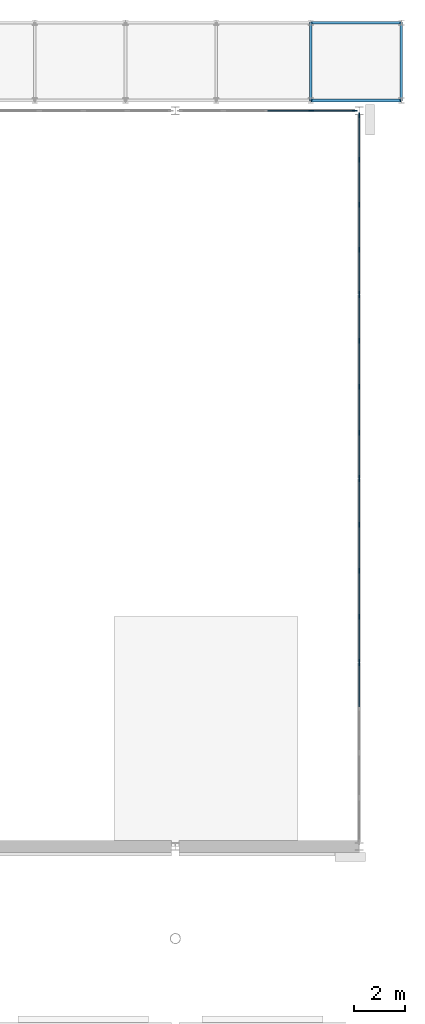
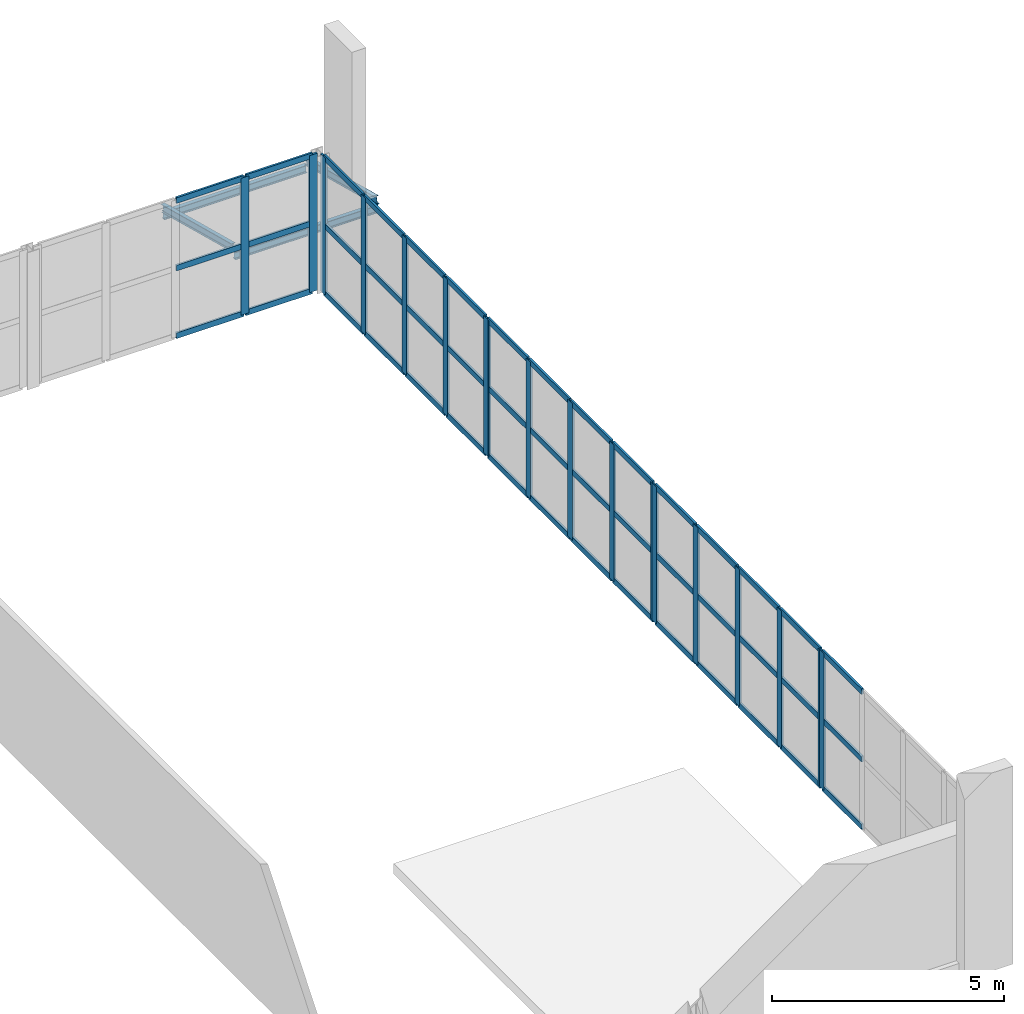
# One storey, part 53 of 124: 63 members, 4 beams, 5 elements without a shape of their own.
"""IFC4 building model written with IfcOpenShell, lengths in metres."""

from ifc_helpers import new_model, si_unit, direction, frame, origin, origin_2d, place, context, subcontext, project, spatial, rectangle, i_section, extrude, material, material_profile, profile_set, type_object, element, aggregate, save


model = new_model("IFC4")

# Units and contexts
model_context = context("Model", 3, precision=1e-05, world=origin(), true_north=direction((0.0, 1.0)))
body_context = subcontext(model_context, "Body", "Model", "MODEL_VIEW")
ifc_project = project(units=[si_unit("LENGTHUNIT", "METRE"), si_unit("AREAUNIT", "SQUARE_METRE"), si_unit("VOLUMEUNIT", "CUBIC_METRE"), si_unit("PLANEANGLEUNIT", "RADIAN"), si_unit("MASSUNIT", "GRAM", prefix="KILO")], contexts=[model_context])

# Site, building, storey
site_placement = place(None, origin())
site = spatial("IfcSite", under=ifc_project, at=site_placement, CompositionType="ELEMENT")
building_placement = place(site_placement, origin())
building = spatial("IfcBuilding", under=site, at=building_placement, Name="Kupolbacken Congress Centre", CompositionType="ELEMENT")
storey_placement = place(building_placement, frame((0.0, 0.0, 10.800048828125)))
storey = spatial("IfcBuildingStorey", under=building, at=storey_placement, Name="L03", CompositionType="ELEMENT", Elevation=10.800048828125)

# Beams
ifc_material_1 = material(Name="Steel S355", Category="steel")
ifc_material_profile_1 = material_profile(ifc_material_1, i_section(OverallWidth=0.10009765625, OverallDepth=0.199951171875, WebThickness=0.005615234375, FlangeThickness=0.008544921875, FilletRadius=0.011962890625, at=origin_2d()), Name="IPE 200")
ifc_profile_set_1 = profile_set([ifc_material_profile_1], Name="Steel S355")
beam_type = type_object("IfcBeamType", Name="B01 beam IPE 200", PredefinedType="BEAM", material=ifc_profile_set_1)
for number, where, z_axis, x_axis, name in (
    (1, (199.699951171875, 151.60009765625, 1.300048828125), (1.0, 0.0, 0.0), (0.0, 1.0, 0.0), "Covered passage eaves beam"),
    (2, (199.699951171875, 154.64990234375, 0.5), (1.0, 0.0, 0.0), (0.0, 1.0, 0.0), "Covered passage eaves beam"),
):
    element("IfcBeam", number, at=place(storey_placement, frame(where, z_axis=z_axis, x_axis=x_axis)), inside=storey, type_object=beam_type, Name=name, PredefinedType="BEAM", context=body_context, shape_type="SweptSolid", body=[
        extrude(i_section(OverallWidth=0.10009765625, OverallDepth=0.199951171875, WebThickness=0.005615234375, FlangeThickness=0.008544921875, FilletRadius=0.011962890625, at=origin_2d()), origin(), (0.0, 0.0, 1.0), 3.550048828125),
    ])
for number, where, z_axis, x_axis, name in (
    (3, (199.699951171875, 151.60009765625, 1.5), (0.0, 0.967271836025, -0.253742379655), (-1.0, 0.0, 0.0), "Covered passage rafter"),
    (4, (203.25, 151.60009765625, 1.5), (0.0, 0.967271836025, -0.253742379655), (-1.0, 0.0, 0.0), "Covered passage rafter"),
):
    element("IfcBeam", number, at=place(storey_placement, frame(where, z_axis=z_axis, x_axis=x_axis)), inside=storey, type_object=beam_type, Name=name, PredefinedType="BEAM", context=body_context, shape_type="SweptSolid", body=[
        extrude(i_section(OverallWidth=0.10009765625, OverallDepth=0.199951171875, WebThickness=0.005615234375, FlangeThickness=0.008544921875, FilletRadius=0.011962890625, at=origin_2d()), origin(), (0.0, 0.0, 1.0), 3.153076171875),
    ])

# Curtain wall, member
ifc_material_2 = material(Name="Aluminium mullion-transom frame with glass", Category="aluminium")
curtain_wall_type = type_object("IfcCurtainWallType", Name="CW1 curtain wall 7200x3600", PredefinedType="NOTDEFINED", material=ifc_material_2)
curtain_wall_1_placement = place(storey_placement, origin())
curtain_wall_1 = element("IfcCurtainWall", 5, at=curtain_wall_1_placement, inside=storey, type_object=curtain_wall_type, Name="E/B/E/L03/297", PredefinedType="NOTDEFINED")
ifc_material_3 = material(Name="Aluminium alloy", Category="aluminium")
ifc_material_profile_2 = material_profile(ifc_material_3, rectangle(XDim=0.050048828125, YDim=0.199951171875, at=origin_2d()), Name="50 x 200")
ifc_profile_set_2 = profile_set([ifc_material_profile_2], Name="Aluminium alloy")
member_type_1 = type_object("IfcMemberType", Name="MU2 mullion 50x200", PredefinedType="MULLION", material=ifc_profile_set_2)
member_1_placement = place(storey_placement, frame((201.60009765625, 129.574951171875, 0.0), z_axis=(0.0, 0.0, 1.0), x_axis=(-1.0, 0.0, 0.0)))
member_1 = element("IfcMember", 6, at=member_1_placement, type_object=member_type_1, Name="CW1 mullion 5", PredefinedType="MULLION", context=body_context, shape_type="SweptSolid", body=[
    extrude(rectangle(XDim=0.050048828125, YDim=0.199951171875, at=origin_2d()), origin(), (0.0, 0.0, 1.0), 3.599853515625),
])

# Curtain wall, members
curtain_wall_2_placement = place(storey_placement, origin())
curtain_wall_2 = element("IfcCurtainWall", 7, at=curtain_wall_2_placement, inside=storey, type_object=curtain_wall_type, Name="E/B/E/L03/298", PredefinedType="NOTDEFINED")
member_2_placement = place(storey_placement, frame((201.60009765625, 129.625, 0.0), z_axis=(0.0, 0.0, 1.0), x_axis=(-1.0, 0.0, 0.0)))
member_2 = element("IfcMember", 8, at=member_2_placement, type_object=member_type_1, Name="CW1 mullion 1", PredefinedType="MULLION", context=body_context, shape_type="SweptSolid", body=[
    extrude(rectangle(XDim=0.050048828125, YDim=0.199951171875, at=origin_2d()), origin(), (0.0, 0.0, 1.0), 3.599853515625),
])
member_3_placement = place(storey_placement, frame((201.60009765625, 131.39990234375, 0.0), z_axis=(0.0, 0.0, 1.0), x_axis=(-1.0, 0.0, 0.0)))
member_3 = element("IfcMember", 9, at=member_3_placement, type_object=member_type_1, Name="CW1 mullion 2", PredefinedType="MULLION", context=body_context, shape_type="SweptSolid", body=[
    extrude(rectangle(XDim=0.050048828125, YDim=0.199951171875, at=origin_2d()), origin(), (0.0, 0.0, 1.0), 3.599853515625),
])
member_4_placement = place(storey_placement, frame((201.60009765625, 133.199951171875, 0.0), z_axis=(0.0, 0.0, 1.0), x_axis=(-1.0, 0.0, 0.0)))
member_4 = element("IfcMember", 10, at=member_4_placement, type_object=member_type_1, Name="CW1 mullion 3", PredefinedType="MULLION", context=body_context, shape_type="SweptSolid", body=[
    extrude(rectangle(XDim=0.050048828125, YDim=0.199951171875, at=origin_2d()), origin(), (0.0, 0.0, 1.0), 3.599853515625),
])
member_5_placement = place(storey_placement, frame((201.60009765625, 135.0, 0.0), z_axis=(0.0, 0.0, 1.0), x_axis=(-1.0, 0.0, 0.0)))
member_5 = element("IfcMember", 11, at=member_5_placement, type_object=member_type_1, Name="CW1 mullion 4", PredefinedType="MULLION", context=body_context, shape_type="SweptSolid", body=[
    extrude(rectangle(XDim=0.050048828125, YDim=0.199951171875, at=origin_2d()), origin(), (0.0, 0.0, 1.0), 3.599853515625),
])
member_6_placement = place(storey_placement, frame((201.60009765625, 136.77490234375, 0.0), z_axis=(0.0, 0.0, 1.0), x_axis=(-1.0, 0.0, 0.0)))
member_6 = element("IfcMember", 12, at=member_6_placement, type_object=member_type_1, Name="CW1 mullion 5", PredefinedType="MULLION", context=body_context, shape_type="SweptSolid", body=[
    extrude(rectangle(XDim=0.050048828125, YDim=0.199951171875, at=origin_2d()), origin(), (0.0, 0.0, 1.0), 3.599853515625),
])

curtain_wall_3_placement = place(storey_placement, origin())
curtain_wall_3 = element("IfcCurtainWall", 13, at=curtain_wall_3_placement, inside=storey, type_object=curtain_wall_type, Name="E/B/E/L03/299", PredefinedType="NOTDEFINED")
member_7_placement = place(storey_placement, frame((201.60009765625, 136.824951171875, 0.0), z_axis=(0.0, 0.0, 1.0), x_axis=(-1.0, 0.0, 0.0)))
member_7 = element("IfcMember", 14, at=member_7_placement, type_object=member_type_1, Name="CW1 mullion 1", PredefinedType="MULLION", context=body_context, shape_type="SweptSolid", body=[
    extrude(rectangle(XDim=0.050048828125, YDim=0.199951171875, at=origin_2d()), origin(), (0.0, 0.0, 1.0), 3.599853515625),
])
member_8_placement = place(storey_placement, frame((201.60009765625, 138.60009765625, 0.0), z_axis=(0.0, 0.0, 1.0), x_axis=(-1.0, 0.0, 0.0)))
member_8 = element("IfcMember", 15, at=member_8_placement, type_object=member_type_1, Name="CW1 mullion 2", PredefinedType="MULLION", context=body_context, shape_type="SweptSolid", body=[
    extrude(rectangle(XDim=0.050048828125, YDim=0.199951171875, at=origin_2d()), origin(), (0.0, 0.0, 1.0), 3.599853515625),
])
member_9_placement = place(storey_placement, frame((201.60009765625, 140.39990234375, 0.0), z_axis=(0.0, 0.0, 1.0), x_axis=(-1.0, 0.0, 0.0)))
member_9 = element("IfcMember", 16, at=member_9_placement, type_object=member_type_1, Name="CW1 mullion 3", PredefinedType="MULLION", context=body_context, shape_type="SweptSolid", body=[
    extrude(rectangle(XDim=0.050048828125, YDim=0.199951171875, at=origin_2d()), origin(), (0.0, 0.0, 1.0), 3.599853515625),
])
member_10_placement = place(storey_placement, frame((201.60009765625, 142.199951171875, 0.0), z_axis=(0.0, 0.0, 1.0), x_axis=(-1.0, 0.0, 0.0)))
member_10 = element("IfcMember", 17, at=member_10_placement, type_object=member_type_1, Name="CW1 mullion 4", PredefinedType="MULLION", context=body_context, shape_type="SweptSolid", body=[
    extrude(rectangle(XDim=0.050048828125, YDim=0.199951171875, at=origin_2d()), origin(), (0.0, 0.0, 1.0), 3.599853515625),
])
member_11_placement = place(storey_placement, frame((201.60009765625, 143.97509765625, 0.0), z_axis=(0.0, 0.0, 1.0), x_axis=(-1.0, 0.0, 0.0)))
member_11 = element("IfcMember", 18, at=member_11_placement, type_object=member_type_1, Name="CW1 mullion 5", PredefinedType="MULLION", context=body_context, shape_type="SweptSolid", body=[
    extrude(rectangle(XDim=0.050048828125, YDim=0.199951171875, at=origin_2d()), origin(), (0.0, 0.0, 1.0), 3.599853515625),
])

curtain_wall_4_placement = place(storey_placement, origin())
curtain_wall_4 = element("IfcCurtainWall", 19, at=curtain_wall_4_placement, inside=storey, type_object=curtain_wall_type, Name="E/B/E/L03/300", PredefinedType="NOTDEFINED")
member_12_placement = place(storey_placement, frame((201.60009765625, 144.02490234375, 0.0), z_axis=(0.0, 0.0, 1.0), x_axis=(-1.0, 0.0, 0.0)))
member_12 = element("IfcMember", 20, at=member_12_placement, type_object=member_type_1, Name="CW1 mullion 1", PredefinedType="MULLION", context=body_context, shape_type="SweptSolid", body=[
    extrude(rectangle(XDim=0.050048828125, YDim=0.199951171875, at=origin_2d()), origin(), (0.0, 0.0, 1.0), 3.599853515625),
])
member_13_placement = place(storey_placement, frame((201.60009765625, 145.762451171875, 0.0), z_axis=(0.0, 0.0, 1.0), x_axis=(-1.0, 0.0, 0.0)))
member_13 = element("IfcMember", 21, at=member_13_placement, type_object=member_type_1, Name="CW1 mullion 2", PredefinedType="MULLION", context=body_context, shape_type="SweptSolid", body=[
    extrude(rectangle(XDim=0.050048828125, YDim=0.199951171875, at=origin_2d()), origin(), (0.0, 0.0, 1.0), 3.599853515625),
])
member_14_placement = place(storey_placement, frame((201.60009765625, 147.52490234375, 0.0), z_axis=(0.0, 0.0, 1.0), x_axis=(-1.0, 0.0, 0.0)))
member_14 = element("IfcMember", 22, at=member_14_placement, type_object=member_type_1, Name="CW1 mullion 3", PredefinedType="MULLION", context=body_context, shape_type="SweptSolid", body=[
    extrude(rectangle(XDim=0.050048828125, YDim=0.199951171875, at=origin_2d()), origin(), (0.0, 0.0, 1.0), 3.599853515625),
])
member_15_placement = place(storey_placement, frame((201.60009765625, 149.28759765625, 0.0), z_axis=(0.0, 0.0, 1.0), x_axis=(-1.0, 0.0, 0.0)))
member_15 = element("IfcMember", 23, at=member_15_placement, type_object=member_type_1, Name="CW1 mullion 4", PredefinedType="MULLION", context=body_context, shape_type="SweptSolid", body=[
    extrude(rectangle(XDim=0.050048828125, YDim=0.199951171875, at=origin_2d()), origin(), (0.0, 0.0, 1.0), 3.599853515625),
])
member_16_placement = place(storey_placement, frame((201.60009765625, 151.02490234375, 0.0), z_axis=(0.0, 0.0, 1.0), x_axis=(-1.0, 0.0, 0.0)))
member_16 = element("IfcMember", 24, at=member_16_placement, type_object=member_type_1, Name="CW1 mullion 5", PredefinedType="MULLION", context=body_context, shape_type="SweptSolid", body=[
    extrude(rectangle(XDim=0.050048828125, YDim=0.199951171875, at=origin_2d()), origin(), (0.0, 0.0, 1.0), 3.599853515625),
])

curtain_wall_5_placement = place(storey_placement, origin())
curtain_wall_5 = element("IfcCurtainWall", 25, at=curtain_wall_5_placement, inside=storey, type_object=curtain_wall_type, Name="E/B/N/L03/301", PredefinedType="NOTDEFINED")
member_17_placement = place(storey_placement, frame((201.425048828125, 151.199951171875, 0.0), z_axis=(0.0, 0.0, 1.0), x_axis=(0.0, -1.0, 0.0)))
member_17 = element("IfcMember", 26, at=member_17_placement, type_object=member_type_1, Name="CW1 mullion 1", PredefinedType="MULLION", context=body_context, shape_type="SweptSolid", body=[
    extrude(rectangle(XDim=0.050048828125, YDim=0.199951171875, at=origin_2d()), origin(), (0.0, 0.0, 1.0), 3.599853515625),
])
member_18_placement = place(storey_placement, frame((199.72509765625, 151.199951171875, 0.0), z_axis=(0.0, 0.0, 1.0), x_axis=(0.0, -1.0, 0.0)))
member_18 = element("IfcMember", 27, at=member_18_placement, type_object=member_type_1, Name="CW1 mullion 2", PredefinedType="MULLION", context=body_context, shape_type="SweptSolid", body=[
    extrude(rectangle(XDim=0.050048828125, YDim=0.199951171875, at=origin_2d()), origin(), (0.0, 0.0, 1.0), 3.599853515625),
])

# Member
ifc_material_4 = material(Name="Aluminium alloy", Category="aluminium")
ifc_material_profile_3 = material_profile(ifc_material_4, rectangle(XDim=0.050048828125, YDim=0.14990234375, at=origin_2d()), Name="50 x 150")
ifc_profile_set_3 = profile_set([ifc_material_profile_3], Name="Aluminium alloy")
member_type_2 = type_object("IfcMemberType", Name="TR2 transom 50x150", PredefinedType="MULLION", material=ifc_profile_set_3)
member_19_placement = place(storey_placement, frame((201.60009765625, 127.862548828125, 0.02490234375), z_axis=(0.0, 1.0, 0.0), x_axis=(-1.0, 0.0, 0.0)))
member_19 = element("IfcMember", 28, at=member_19_placement, type_object=member_type_2, Name="CW1 transom 4.1", PredefinedType="MULLION", context=body_context, shape_type="SweptSolid", body=[
    extrude(rectangle(XDim=0.050048828125, YDim=0.14990234375, at=origin_2d()), origin(), (0.0, 0.0, 1.0), 1.6875),
])

member_20_placement = place(storey_placement, frame((201.60009765625, 127.862548828125, 1.800048828125), z_axis=(0.0, 1.0, 0.0), x_axis=(-1.0, 0.0, 0.0)))
member_20 = element("IfcMember", 29, at=member_20_placement, type_object=member_type_2, Name="CW1 transom 4.2", PredefinedType="MULLION", context=body_context, shape_type="SweptSolid", body=[
    extrude(rectangle(XDim=0.050048828125, YDim=0.14990234375, at=origin_2d()), origin(), (0.0, 0.0, 1.0), 1.6875),
])

member_21_placement = place(storey_placement, frame((201.60009765625, 127.862548828125, 3.574951171875), z_axis=(0.0, 1.0, 0.0), x_axis=(-1.0, 0.0, 0.0)))
member_21 = element("IfcMember", 30, at=member_21_placement, type_object=member_type_2, Name="CW1 transom 4.3", PredefinedType="MULLION", context=body_context, shape_type="SweptSolid", body=[
    extrude(rectangle(XDim=0.050048828125, YDim=0.14990234375, at=origin_2d()), origin(), (0.0, 0.0, 1.0), 1.6875),
])

aggregate(curtain_wall_1, [member_1, member_19, member_20, member_21])

member_22_placement = place(storey_placement, frame((201.60009765625, 129.64990234375, 0.02490234375), z_axis=(0.0, 1.0, 0.0), x_axis=(-1.0, 0.0, 0.0)))
member_22 = element("IfcMember", 31, at=member_22_placement, type_object=member_type_2, Name="CW1 transom 1.1", PredefinedType="MULLION", context=body_context, shape_type="SweptSolid", body=[
    extrude(rectangle(XDim=0.050048828125, YDim=0.14990234375, at=origin_2d()), origin(), (0.0, 0.0, 1.0), 1.72509765625),
])

member_23_placement = place(storey_placement, frame((201.60009765625, 129.64990234375, 1.800048828125), z_axis=(0.0, 1.0, 0.0), x_axis=(-1.0, 0.0, 0.0)))
member_23 = element("IfcMember", 32, at=member_23_placement, type_object=member_type_2, Name="CW1 transom 1.2", PredefinedType="MULLION", context=body_context, shape_type="SweptSolid", body=[
    extrude(rectangle(XDim=0.050048828125, YDim=0.14990234375, at=origin_2d()), origin(), (0.0, 0.0, 1.0), 1.72509765625),
])

member_24_placement = place(storey_placement, frame((201.60009765625, 129.64990234375, 3.574951171875), z_axis=(0.0, 1.0, 0.0), x_axis=(-1.0, 0.0, 0.0)))
member_24 = element("IfcMember", 33, at=member_24_placement, type_object=member_type_2, Name="CW1 transom 1.3", PredefinedType="MULLION", context=body_context, shape_type="SweptSolid", body=[
    extrude(rectangle(XDim=0.050048828125, YDim=0.14990234375, at=origin_2d()), origin(), (0.0, 0.0, 1.0), 1.72509765625),
])

member_25_placement = place(storey_placement, frame((201.60009765625, 131.425048828125, 0.02490234375), z_axis=(0.0, 1.0, 0.0), x_axis=(-1.0, 0.0, 0.0)))
member_25 = element("IfcMember", 34, at=member_25_placement, type_object=member_type_2, Name="CW1 transom 2.1", PredefinedType="MULLION", context=body_context, shape_type="SweptSolid", body=[
    extrude(rectangle(XDim=0.050048828125, YDim=0.14990234375, at=origin_2d()), origin(), (0.0, 0.0, 1.0), 1.75),
])

member_26_placement = place(storey_placement, frame((201.60009765625, 131.425048828125, 1.800048828125), z_axis=(0.0, 1.0, 0.0), x_axis=(-1.0, 0.0, 0.0)))
member_26 = element("IfcMember", 35, at=member_26_placement, type_object=member_type_2, Name="CW1 transom 2.2", PredefinedType="MULLION", context=body_context, shape_type="SweptSolid", body=[
    extrude(rectangle(XDim=0.050048828125, YDim=0.14990234375, at=origin_2d()), origin(), (0.0, 0.0, 1.0), 1.75),
])

member_27_placement = place(storey_placement, frame((201.60009765625, 131.425048828125, 3.574951171875), z_axis=(0.0, 1.0, 0.0), x_axis=(-1.0, 0.0, 0.0)))
member_27 = element("IfcMember", 36, at=member_27_placement, type_object=member_type_2, Name="CW1 transom 2.3", PredefinedType="MULLION", context=body_context, shape_type="SweptSolid", body=[
    extrude(rectangle(XDim=0.050048828125, YDim=0.14990234375, at=origin_2d()), origin(), (0.0, 0.0, 1.0), 1.75),
])

member_28_placement = place(storey_placement, frame((201.60009765625, 133.22509765625, 0.02490234375), z_axis=(0.0, 1.0, 0.0), x_axis=(-1.0, 0.0, 0.0)))
member_28 = element("IfcMember", 37, at=member_28_placement, type_object=member_type_2, Name="CW1 transom 3.1", PredefinedType="MULLION", context=body_context, shape_type="SweptSolid", body=[
    extrude(rectangle(XDim=0.050048828125, YDim=0.14990234375, at=origin_2d()), origin(), (0.0, 0.0, 1.0), 1.75),
])

member_29_placement = place(storey_placement, frame((201.60009765625, 133.22509765625, 1.800048828125), z_axis=(0.0, 1.0, 0.0), x_axis=(-1.0, 0.0, 0.0)))
member_29 = element("IfcMember", 38, at=member_29_placement, type_object=member_type_2, Name="CW1 transom 3.2", PredefinedType="MULLION", context=body_context, shape_type="SweptSolid", body=[
    extrude(rectangle(XDim=0.050048828125, YDim=0.14990234375, at=origin_2d()), origin(), (0.0, 0.0, 1.0), 1.75),
])

member_30_placement = place(storey_placement, frame((201.60009765625, 133.22509765625, 3.574951171875), z_axis=(0.0, 1.0, 0.0), x_axis=(-1.0, 0.0, 0.0)))
member_30 = element("IfcMember", 39, at=member_30_placement, type_object=member_type_2, Name="CW1 transom 3.3", PredefinedType="MULLION", context=body_context, shape_type="SweptSolid", body=[
    extrude(rectangle(XDim=0.050048828125, YDim=0.14990234375, at=origin_2d()), origin(), (0.0, 0.0, 1.0), 1.75),
])

member_31_placement = place(storey_placement, frame((201.60009765625, 135.02490234375, 0.02490234375), z_axis=(0.0, 1.0, 0.0), x_axis=(-1.0, 0.0, 0.0)))
member_31 = element("IfcMember", 40, at=member_31_placement, type_object=member_type_2, Name="CW1 transom 4.1", PredefinedType="MULLION", context=body_context, shape_type="SweptSolid", body=[
    extrude(rectangle(XDim=0.050048828125, YDim=0.14990234375, at=origin_2d()), origin(), (0.0, 0.0, 1.0), 1.72509765625),
])

member_32_placement = place(storey_placement, frame((201.60009765625, 135.02490234375, 1.800048828125), z_axis=(0.0, 1.0, 0.0), x_axis=(-1.0, 0.0, 0.0)))
member_32 = element("IfcMember", 41, at=member_32_placement, type_object=member_type_2, Name="CW1 transom 4.2", PredefinedType="MULLION", context=body_context, shape_type="SweptSolid", body=[
    extrude(rectangle(XDim=0.050048828125, YDim=0.14990234375, at=origin_2d()), origin(), (0.0, 0.0, 1.0), 1.72509765625),
])

member_33_placement = place(storey_placement, frame((201.60009765625, 135.02490234375, 3.574951171875), z_axis=(0.0, 1.0, 0.0), x_axis=(-1.0, 0.0, 0.0)))
member_33 = element("IfcMember", 42, at=member_33_placement, type_object=member_type_2, Name="CW1 transom 4.3", PredefinedType="MULLION", context=body_context, shape_type="SweptSolid", body=[
    extrude(rectangle(XDim=0.050048828125, YDim=0.14990234375, at=origin_2d()), origin(), (0.0, 0.0, 1.0), 1.72509765625),
])

aggregate(curtain_wall_2, [member_2, member_3, member_4, member_5, member_6, member_22, member_23, member_24, member_25, member_26, member_27, member_28, member_29, member_30, member_31, member_32, member_33])

member_34_placement = place(storey_placement, frame((201.60009765625, 136.85009765625, 0.02490234375), z_axis=(0.0, 1.0, 0.0), x_axis=(-1.0, 0.0, 0.0)))
member_34 = element("IfcMember", 43, at=member_34_placement, type_object=member_type_2, Name="CW1 transom 1.1", PredefinedType="MULLION", context=body_context, shape_type="SweptSolid", body=[
    extrude(rectangle(XDim=0.050048828125, YDim=0.14990234375, at=origin_2d()), origin(), (0.0, 0.0, 1.0), 1.724853515625),
])

member_35_placement = place(storey_placement, frame((201.60009765625, 136.85009765625, 1.800048828125), z_axis=(0.0, 1.0, 0.0), x_axis=(-1.0, 0.0, 0.0)))
member_35 = element("IfcMember", 44, at=member_35_placement, type_object=member_type_2, Name="CW1 transom 1.2", PredefinedType="MULLION", context=body_context, shape_type="SweptSolid", body=[
    extrude(rectangle(XDim=0.050048828125, YDim=0.14990234375, at=origin_2d()), origin(), (0.0, 0.0, 1.0), 1.724853515625),
])

member_36_placement = place(storey_placement, frame((201.60009765625, 136.85009765625, 3.574951171875), z_axis=(0.0, 1.0, 0.0), x_axis=(-1.0, 0.0, 0.0)))
member_36 = element("IfcMember", 45, at=member_36_placement, type_object=member_type_2, Name="CW1 transom 1.3", PredefinedType="MULLION", context=body_context, shape_type="SweptSolid", body=[
    extrude(rectangle(XDim=0.050048828125, YDim=0.14990234375, at=origin_2d()), origin(), (0.0, 0.0, 1.0), 1.724853515625),
])

member_37_placement = place(storey_placement, frame((201.60009765625, 138.625, 0.02490234375), z_axis=(0.0, 1.0, 0.0), x_axis=(-1.0, 0.0, 0.0)))
member_37 = element("IfcMember", 46, at=member_37_placement, type_object=member_type_2, Name="CW1 transom 2.1", PredefinedType="MULLION", context=body_context, shape_type="SweptSolid", body=[
    extrude(rectangle(XDim=0.050048828125, YDim=0.14990234375, at=origin_2d()), origin(), (0.0, 0.0, 1.0), 1.75),
])

member_38_placement = place(storey_placement, frame((201.60009765625, 138.625, 1.800048828125), z_axis=(0.0, 1.0, 0.0), x_axis=(-1.0, 0.0, 0.0)))
member_38 = element("IfcMember", 47, at=member_38_placement, type_object=member_type_2, Name="CW1 transom 2.2", PredefinedType="MULLION", context=body_context, shape_type="SweptSolid", body=[
    extrude(rectangle(XDim=0.050048828125, YDim=0.14990234375, at=origin_2d()), origin(), (0.0, 0.0, 1.0), 1.75),
])

member_39_placement = place(storey_placement, frame((201.60009765625, 138.625, 3.574951171875), z_axis=(0.0, 1.0, 0.0), x_axis=(-1.0, 0.0, 0.0)))
member_39 = element("IfcMember", 48, at=member_39_placement, type_object=member_type_2, Name="CW1 transom 2.3", PredefinedType="MULLION", context=body_context, shape_type="SweptSolid", body=[
    extrude(rectangle(XDim=0.050048828125, YDim=0.14990234375, at=origin_2d()), origin(), (0.0, 0.0, 1.0), 1.75),
])

member_40_placement = place(storey_placement, frame((201.60009765625, 140.425048828125, 0.02490234375), z_axis=(0.0, 1.0, 0.0), x_axis=(-1.0, 0.0, 0.0)))
member_40 = element("IfcMember", 49, at=member_40_placement, type_object=member_type_2, Name="CW1 transom 3.1", PredefinedType="MULLION", context=body_context, shape_type="SweptSolid", body=[
    extrude(rectangle(XDim=0.050048828125, YDim=0.14990234375, at=origin_2d()), origin(), (0.0, 0.0, 1.0), 1.75),
])

member_41_placement = place(storey_placement, frame((201.60009765625, 140.425048828125, 1.800048828125), z_axis=(0.0, 1.0, 0.0), x_axis=(-1.0, 0.0, 0.0)))
member_41 = element("IfcMember", 50, at=member_41_placement, type_object=member_type_2, Name="CW1 transom 3.2", PredefinedType="MULLION", context=body_context, shape_type="SweptSolid", body=[
    extrude(rectangle(XDim=0.050048828125, YDim=0.14990234375, at=origin_2d()), origin(), (0.0, 0.0, 1.0), 1.75),
])

member_42_placement = place(storey_placement, frame((201.60009765625, 140.425048828125, 3.574951171875), z_axis=(0.0, 1.0, 0.0), x_axis=(-1.0, 0.0, 0.0)))
member_42 = element("IfcMember", 51, at=member_42_placement, type_object=member_type_2, Name="CW1 transom 3.3", PredefinedType="MULLION", context=body_context, shape_type="SweptSolid", body=[
    extrude(rectangle(XDim=0.050048828125, YDim=0.14990234375, at=origin_2d()), origin(), (0.0, 0.0, 1.0), 1.75),
])

member_43_placement = place(storey_placement, frame((201.60009765625, 142.22509765625, 0.02490234375), z_axis=(0.0, 1.0, 0.0), x_axis=(-1.0, 0.0, 0.0)))
member_43 = element("IfcMember", 52, at=member_43_placement, type_object=member_type_2, Name="CW1 transom 4.1", PredefinedType="MULLION", context=body_context, shape_type="SweptSolid", body=[
    extrude(rectangle(XDim=0.050048828125, YDim=0.14990234375, at=origin_2d()), origin(), (0.0, 0.0, 1.0), 1.724853515625),
])

member_44_placement = place(storey_placement, frame((201.60009765625, 142.22509765625, 1.800048828125), z_axis=(0.0, 1.0, 0.0), x_axis=(-1.0, 0.0, 0.0)))
member_44 = element("IfcMember", 53, at=member_44_placement, type_object=member_type_2, Name="CW1 transom 4.2", PredefinedType="MULLION", context=body_context, shape_type="SweptSolid", body=[
    extrude(rectangle(XDim=0.050048828125, YDim=0.14990234375, at=origin_2d()), origin(), (0.0, 0.0, 1.0), 1.724853515625),
])

member_45_placement = place(storey_placement, frame((201.60009765625, 142.22509765625, 3.574951171875), z_axis=(0.0, 1.0, 0.0), x_axis=(-1.0, 0.0, 0.0)))
member_45 = element("IfcMember", 54, at=member_45_placement, type_object=member_type_2, Name="CW1 transom 4.3", PredefinedType="MULLION", context=body_context, shape_type="SweptSolid", body=[
    extrude(rectangle(XDim=0.050048828125, YDim=0.14990234375, at=origin_2d()), origin(), (0.0, 0.0, 1.0), 1.724853515625),
])

aggregate(curtain_wall_3, [member_7, member_8, member_9, member_10, member_11, member_34, member_35, member_36, member_37, member_38, member_39, member_40, member_41, member_42, member_43, member_44, member_45])

member_46_placement = place(storey_placement, frame((201.60009765625, 144.050048828125, 0.02490234375), z_axis=(0.0, 1.0, 0.0), x_axis=(-1.0, 0.0, 0.0)))
member_46 = element("IfcMember", 55, at=member_46_placement, type_object=member_type_2, Name="CW1 transom 1.1", PredefinedType="MULLION", context=body_context, shape_type="SweptSolid", body=[
    extrude(rectangle(XDim=0.050048828125, YDim=0.14990234375, at=origin_2d()), origin(), (0.0, 0.0, 1.0), 1.6875),
])

member_47_placement = place(storey_placement, frame((201.60009765625, 144.050048828125, 1.800048828125), z_axis=(0.0, 1.0, 0.0), x_axis=(-1.0, 0.0, 0.0)))
member_47 = element("IfcMember", 56, at=member_47_placement, type_object=member_type_2, Name="CW1 transom 1.2", PredefinedType="MULLION", context=body_context, shape_type="SweptSolid", body=[
    extrude(rectangle(XDim=0.050048828125, YDim=0.14990234375, at=origin_2d()), origin(), (0.0, 0.0, 1.0), 1.6875),
])

member_48_placement = place(storey_placement, frame((201.60009765625, 144.050048828125, 3.574951171875), z_axis=(0.0, 1.0, 0.0), x_axis=(-1.0, 0.0, 0.0)))
member_48 = element("IfcMember", 57, at=member_48_placement, type_object=member_type_2, Name="CW1 transom 1.3", PredefinedType="MULLION", context=body_context, shape_type="SweptSolid", body=[
    extrude(rectangle(XDim=0.050048828125, YDim=0.14990234375, at=origin_2d()), origin(), (0.0, 0.0, 1.0), 1.6875),
])

member_49_placement = place(storey_placement, frame((201.60009765625, 145.78759765625, 0.02490234375), z_axis=(0.0, 1.0, 0.0), x_axis=(-1.0, 0.0, 0.0)))
member_49 = element("IfcMember", 58, at=member_49_placement, type_object=member_type_2, Name="CW1 transom 2.1", PredefinedType="MULLION", context=body_context, shape_type="SweptSolid", body=[
    extrude(rectangle(XDim=0.050048828125, YDim=0.14990234375, at=origin_2d()), origin(), (0.0, 0.0, 1.0), 1.71240234375),
])

member_50_placement = place(storey_placement, frame((201.60009765625, 145.78759765625, 1.800048828125), z_axis=(0.0, 1.0, 0.0), x_axis=(-1.0, 0.0, 0.0)))
member_50 = element("IfcMember", 59, at=member_50_placement, type_object=member_type_2, Name="CW1 transom 2.2", PredefinedType="MULLION", context=body_context, shape_type="SweptSolid", body=[
    extrude(rectangle(XDim=0.050048828125, YDim=0.14990234375, at=origin_2d()), origin(), (0.0, 0.0, 1.0), 1.71240234375),
])

member_51_placement = place(storey_placement, frame((201.60009765625, 145.78759765625, 3.574951171875), z_axis=(0.0, 1.0, 0.0), x_axis=(-1.0, 0.0, 0.0)))
member_51 = element("IfcMember", 60, at=member_51_placement, type_object=member_type_2, Name="CW1 transom 2.3", PredefinedType="MULLION", context=body_context, shape_type="SweptSolid", body=[
    extrude(rectangle(XDim=0.050048828125, YDim=0.14990234375, at=origin_2d()), origin(), (0.0, 0.0, 1.0), 1.71240234375),
])

member_52_placement = place(storey_placement, frame((201.60009765625, 147.550048828125, 0.02490234375), z_axis=(0.0, 1.0, 0.0), x_axis=(-1.0, 0.0, 0.0)))
member_52 = element("IfcMember", 61, at=member_52_placement, type_object=member_type_2, Name="CW1 transom 3.1", PredefinedType="MULLION", context=body_context, shape_type="SweptSolid", body=[
    extrude(rectangle(XDim=0.050048828125, YDim=0.14990234375, at=origin_2d()), origin(), (0.0, 0.0, 1.0), 1.71240234375),
])

member_53_placement = place(storey_placement, frame((201.60009765625, 147.550048828125, 1.800048828125), z_axis=(0.0, 1.0, 0.0), x_axis=(-1.0, 0.0, 0.0)))
member_53 = element("IfcMember", 62, at=member_53_placement, type_object=member_type_2, Name="CW1 transom 3.2", PredefinedType="MULLION", context=body_context, shape_type="SweptSolid", body=[
    extrude(rectangle(XDim=0.050048828125, YDim=0.14990234375, at=origin_2d()), origin(), (0.0, 0.0, 1.0), 1.71240234375),
])

member_54_placement = place(storey_placement, frame((201.60009765625, 147.550048828125, 3.574951171875), z_axis=(0.0, 1.0, 0.0), x_axis=(-1.0, 0.0, 0.0)))
member_54 = element("IfcMember", 63, at=member_54_placement, type_object=member_type_2, Name="CW1 transom 3.3", PredefinedType="MULLION", context=body_context, shape_type="SweptSolid", body=[
    extrude(rectangle(XDim=0.050048828125, YDim=0.14990234375, at=origin_2d()), origin(), (0.0, 0.0, 1.0), 1.71240234375),
])

member_55_placement = place(storey_placement, frame((201.60009765625, 149.3125, 0.02490234375), z_axis=(0.0, 1.0, 0.0), x_axis=(-1.0, 0.0, 0.0)))
member_55 = element("IfcMember", 64, at=member_55_placement, type_object=member_type_2, Name="CW1 transom 4.1", PredefinedType="MULLION", context=body_context, shape_type="SweptSolid", body=[
    extrude(rectangle(XDim=0.050048828125, YDim=0.14990234375, at=origin_2d()), origin(), (0.0, 0.0, 1.0), 1.6875),
])

member_56_placement = place(storey_placement, frame((201.60009765625, 149.3125, 1.800048828125), z_axis=(0.0, 1.0, 0.0), x_axis=(-1.0, 0.0, 0.0)))
member_56 = element("IfcMember", 65, at=member_56_placement, type_object=member_type_2, Name="CW1 transom 4.2", PredefinedType="MULLION", context=body_context, shape_type="SweptSolid", body=[
    extrude(rectangle(XDim=0.050048828125, YDim=0.14990234375, at=origin_2d()), origin(), (0.0, 0.0, 1.0), 1.6875),
])

member_57_placement = place(storey_placement, frame((201.60009765625, 149.3125, 3.574951171875), z_axis=(0.0, 1.0, 0.0), x_axis=(-1.0, 0.0, 0.0)))
member_57 = element("IfcMember", 66, at=member_57_placement, type_object=member_type_2, Name="CW1 transom 4.3", PredefinedType="MULLION", context=body_context, shape_type="SweptSolid", body=[
    extrude(rectangle(XDim=0.050048828125, YDim=0.14990234375, at=origin_2d()), origin(), (0.0, 0.0, 1.0), 1.6875),
])

aggregate(curtain_wall_4, [member_12, member_13, member_14, member_15, member_16, member_46, member_47, member_48, member_49, member_50, member_51, member_52, member_53, member_54, member_55, member_56, member_57])

member_58_placement = place(storey_placement, frame((201.39990234375, 151.199951171875, 0.02490234375), z_axis=(-1.0, 0.0, 0.0), x_axis=(0.0, -1.0, 0.0)))
member_58 = element("IfcMember", 67, at=member_58_placement, type_object=member_type_2, Name="CW1 transom 1.1", PredefinedType="MULLION", context=body_context, shape_type="SweptSolid", body=[
    extrude(rectangle(XDim=0.050048828125, YDim=0.14990234375, at=origin_2d()), origin(), (0.0, 0.0, 1.0), 1.64990234375),
])

member_59_placement = place(storey_placement, frame((201.39990234375, 151.199951171875, 1.800048828125), z_axis=(-1.0, 0.0, 0.0), x_axis=(0.0, -1.0, 0.0)))
member_59 = element("IfcMember", 68, at=member_59_placement, type_object=member_type_2, Name="CW1 transom 1.2", PredefinedType="MULLION", context=body_context, shape_type="SweptSolid", body=[
    extrude(rectangle(XDim=0.050048828125, YDim=0.14990234375, at=origin_2d()), origin(), (0.0, 0.0, 1.0), 1.64990234375),
])

member_60_placement = place(storey_placement, frame((201.39990234375, 151.199951171875, 3.574951171875), z_axis=(-1.0, 0.0, 0.0), x_axis=(0.0, -1.0, 0.0)))
member_60 = element("IfcMember", 69, at=member_60_placement, type_object=member_type_2, Name="CW1 transom 1.3", PredefinedType="MULLION", context=body_context, shape_type="SweptSolid", body=[
    extrude(rectangle(XDim=0.050048828125, YDim=0.14990234375, at=origin_2d()), origin(), (0.0, 0.0, 1.0), 1.64990234375),
])

member_61_placement = place(storey_placement, frame((199.699951171875, 151.199951171875, 0.02490234375), z_axis=(-1.0, 0.0, 0.0), x_axis=(0.0, -1.0, 0.0)))
member_61 = element("IfcMember", 70, at=member_61_placement, type_object=member_type_2, Name="CW1 transom 2.1", PredefinedType="MULLION", context=body_context, shape_type="SweptSolid", body=[
    extrude(rectangle(XDim=0.050048828125, YDim=0.14990234375, at=origin_2d()), origin(), (0.0, 0.0, 1.0), 1.675048828125),
])

member_62_placement = place(storey_placement, frame((199.699951171875, 151.199951171875, 1.800048828125), z_axis=(-1.0, 0.0, 0.0), x_axis=(0.0, -1.0, 0.0)))
member_62 = element("IfcMember", 71, at=member_62_placement, type_object=member_type_2, Name="CW1 transom 2.2", PredefinedType="MULLION", context=body_context, shape_type="SweptSolid", body=[
    extrude(rectangle(XDim=0.050048828125, YDim=0.14990234375, at=origin_2d()), origin(), (0.0, 0.0, 1.0), 1.675048828125),
])

member_63_placement = place(storey_placement, frame((199.699951171875, 151.199951171875, 3.574951171875), z_axis=(-1.0, 0.0, 0.0), x_axis=(0.0, -1.0, 0.0)))
member_63 = element("IfcMember", 72, at=member_63_placement, type_object=member_type_2, Name="CW1 transom 2.3", PredefinedType="MULLION", context=body_context, shape_type="SweptSolid", body=[
    extrude(rectangle(XDim=0.050048828125, YDim=0.14990234375, at=origin_2d()), origin(), (0.0, 0.0, 1.0), 1.675048828125),
])

aggregate(curtain_wall_5, [member_17, member_18, member_58, member_59, member_60, member_61, member_62, member_63])

save(model, "model.ifc")
